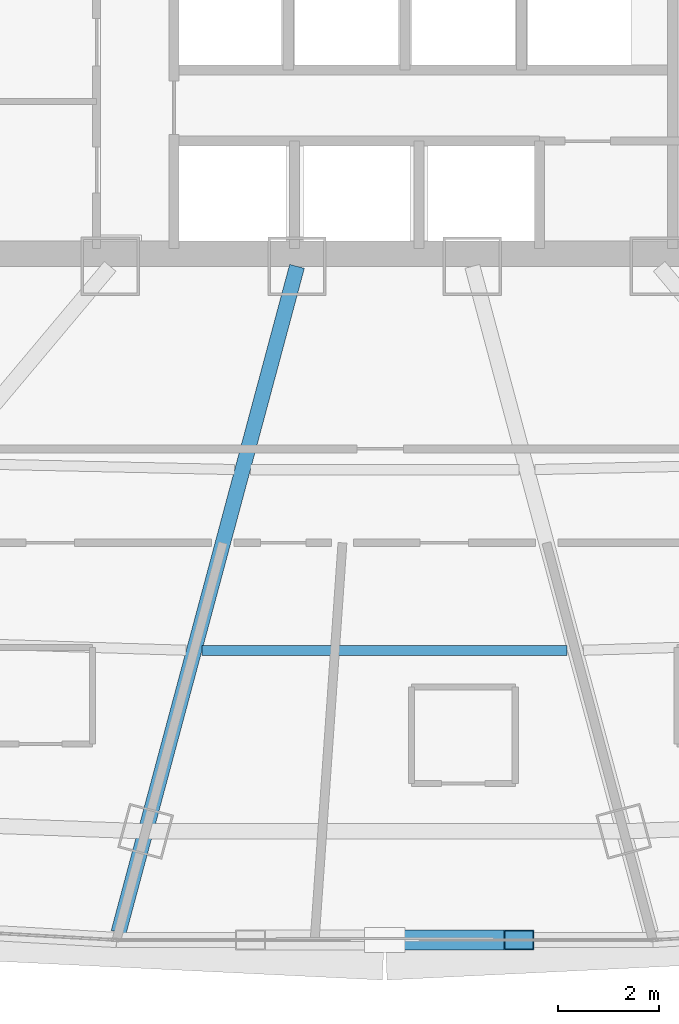
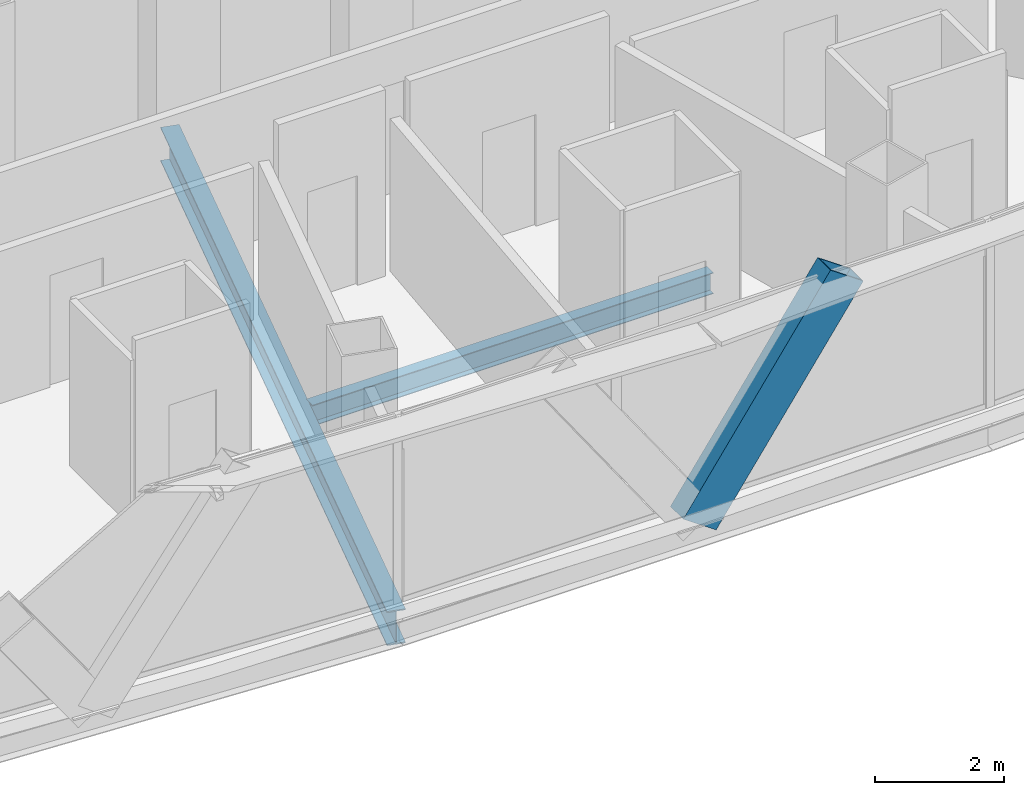
# One storey, part 11 of 40: 2 beams, 1 member.
"""IFC4 building model written with IfcOpenShell, lengths in metres."""

from ifc_helpers import new_model, si_unit, direction, frame, origin, origin_2d, place, context, subcontext, project, spatial, hollow_rectangle, i_section, extrude, source, transform, mapped, material, material_profile, profile_set, type_object, element, save


model = new_model("IFC4")

# Units and contexts
model_context = context("Model", 3, precision=1e-05, world=origin(), true_north=direction((0.0, 1.0)))
body_context = subcontext(model_context, "Body", "Model", "MODEL_VIEW")
ifc_project = project(units=[si_unit("LENGTHUNIT", "METRE"), si_unit("AREAUNIT", "SQUARE_METRE"), si_unit("VOLUMEUNIT", "CUBIC_METRE"), si_unit("PLANEANGLEUNIT", "RADIAN"), si_unit("MASSUNIT", "GRAM", prefix="KILO"), si_unit("THERMODYNAMICTEMPERATUREUNIT", "KELVIN"), si_unit("POWERUNIT", "WATT")], contexts=[model_context])

# Site, building, storey
site_placement = place(None, origin())
site = spatial("IfcSite", under=ifc_project, at=site_placement, CompositionType="ELEMENT")
building_placement = place(site_placement, origin())
building = spatial("IfcBuilding", under=site, at=building_placement, Name="Yunzhuo Pagoda Commons", CompositionType="ELEMENT")
storey_placement = place(building_placement, frame((0.0, 0.0, 184.760009765625)))
storey = spatial("IfcBuildingStorey", under=building, at=storey_placement, Name="L46", CompositionType="ELEMENT", Elevation=184.760009765625)

# Beams
ifc_material = material(Name="Structural steel Q355B", Category="steel")
ifc_material_profile_1 = material_profile(ifc_material, i_section(OverallWidth=0.300048828125, OverallDepth=0.64990234375, WebThickness=0.012939453125, FlangeThickness=0.02197265625, at=origin_2d()), Name="Structural steel Q355B")
ifc_profile_set_1 = profile_set([ifc_material_profile_1], Name="Structural steel Q355B")
beam_type_1 = type_object("IfcBeamType", Name="B-RG2 Beam HN 650x300x13x22", PredefinedType="BEAM", material=ifc_profile_set_1)
shared_shape_1 = source(origin(), body_context, "Body", "SweptSolid", [
    extrude(i_section(OverallWidth=0.300048828125, OverallDepth=0.64990234375, WebThickness=0.012939453125, FlangeThickness=0.02197265625, at=origin_2d()), origin(), (0.0, 0.0, 1.0), 13.593017578125),
])
beam_1_placement = place(storey_placement, frame((42.753662109375, 14.1201171875, -0.5849609375), z_axis=(0.258830648495, 0.965922717095, 0.0), x_axis=(-0.965922717095, 0.258830648495, 0.0)))
element("IfcBeam", 1, at=beam_1_placement, inside=storey, type_object=beam_type_1, Name="L46 radial floor girder F1C2", PredefinedType="BEAM", context=body_context, shape_type="MappedRepresentation", body=[
    mapped(shared_shape_1, transform((0.0, 0.0, 0.0), scale=1.0)),
])
ifc_material_profile_2 = material_profile(ifc_material, i_section(OverallWidth=0.199951171875, OverallDepth=0.39990234375, WebThickness=0.008056640625, FlangeThickness=0.012939453125, at=origin_2d()), Name="Structural steel Q355B")
ifc_profile_set_2 = profile_set([ifc_material_profile_2], Name="Structural steel Q355B")
beam_type_2 = type_object("IfcBeamType", Name="B-JS1 Joist HN 400x200x8x13", PredefinedType="JOIST", material=ifc_profile_set_2)
shared_shape_2 = source(origin(), body_context, "Body", "SweptSolid", [
    extrude(i_section(OverallWidth=0.199951171875, OverallDepth=0.39990234375, WebThickness=0.008056640625, FlangeThickness=0.012939453125, at=origin_2d()), origin(), (0.0, 0.0, 1.0), 7.197265625),
])
beam_2_placement = place(storey_placement, frame((44.4013671875, 19.676513671875, -0.4599609375), z_axis=(1.0, 0.0, 0.0), x_axis=(0.0, 1.0, 0.0)))
element("IfcBeam", 2, at=beam_2_placement, inside=storey, type_object=beam_type_2, Name="L46 composite ring joist 2.2", PredefinedType="JOIST", context=body_context, shape_type="MappedRepresentation", body=[
    mapped(shared_shape_2, transform((0.0, 0.0, 0.0), scale=1.0)),
])

# Member
ifc_material_profile_3 = material_profile(ifc_material, hollow_rectangle(XDim=0.39990234375, YDim=0.719970703125, WallThickness=0.02392578125, at=origin_2d()), Name="Structural steel Q355B")
ifc_profile_set_3 = profile_set([ifc_material_profile_3], Name="Structural steel Q355B")
member_type = type_object("IfcMemberType", Name="M-DL2 Brace BOX 720x400x24", PredefinedType="BRACE", material=ifc_profile_set_3)
shared_shape_3 = source(origin(), body_context, "Body", "SweptSolid", [
    extrude(hollow_rectangle(XDim=0.39990234375, YDim=0.719970703125, WallThickness=0.02392578125, at=origin_2d()), origin(), (0.0, 0.0, 1.0), 4.629150390625),
])
member_placement = place(storey_placement, frame((48.0, 13.970458984375, -0.260009765625), z_axis=(0.571070669197, 0.0, 0.820900901926), x_axis=(0.0, 1.0, 0.0)))
element("IfcMember", 3, at=member_placement, inside=storey, type_object=member_type, Name="L46 facade diamond brace F1.2R", PredefinedType="BRACE", context=body_context, shape_type="MappedRepresentation", body=[
    mapped(shared_shape_3, transform((0.0, 0.0, 0.0), scale=1.0)),
])

save(model, "model.ifc")
